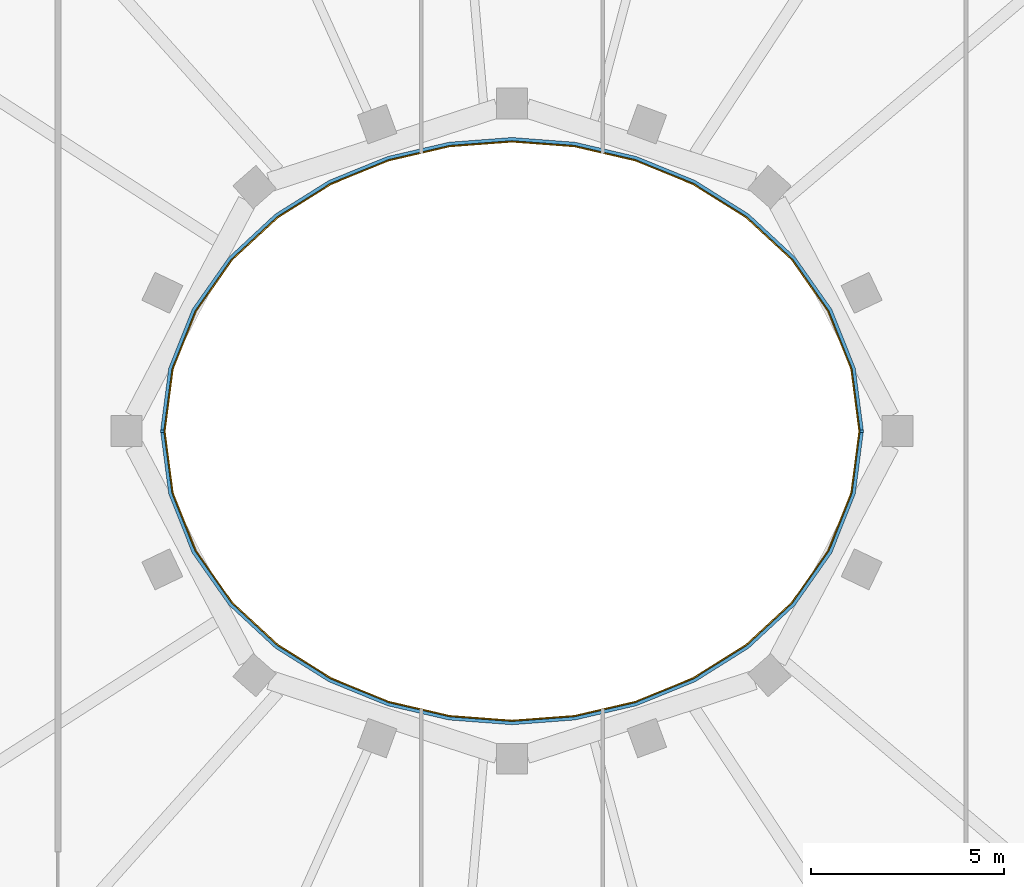
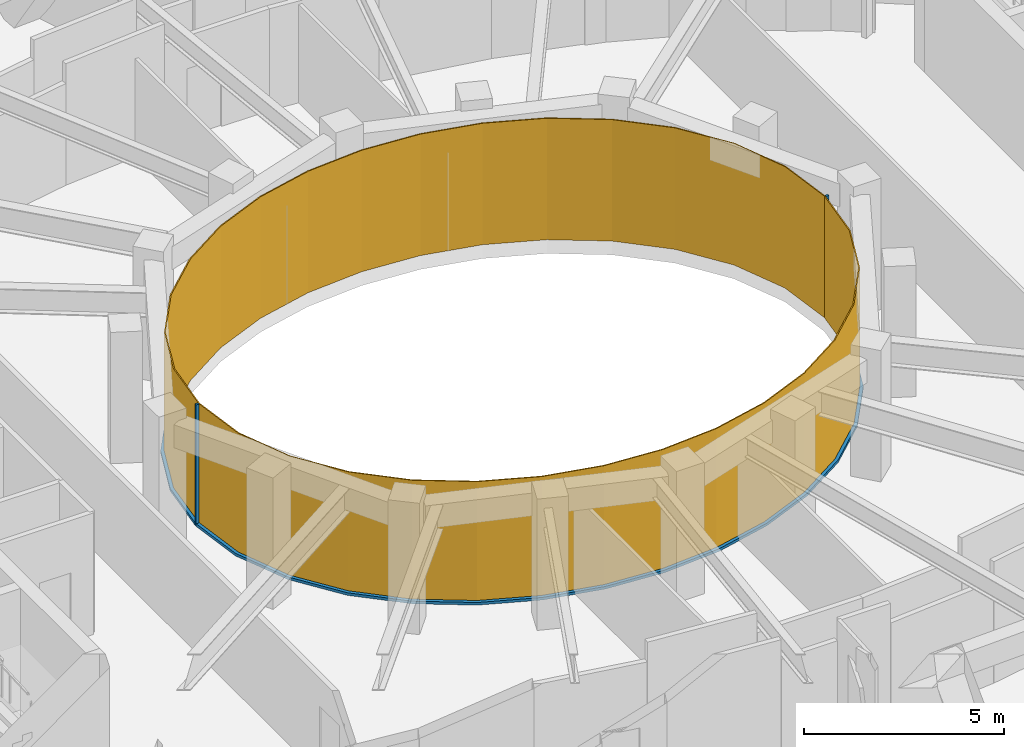
# One storey, part 7 of 13: 4 members, 2 curtain walls.
"""IFC4 building model written with IfcOpenShell, lengths in metres."""

from ifc_helpers import new_model, si_unit, direction, frame, origin, origin_2d, place, context, subcontext, project, spatial, polyline, rectangle, outline, extrude, material, layer, layer_set, material_profile, profile_set, type_object, element, aggregate, save


model = new_model("IFC4")

# Units and contexts
model_context = context("Model", 3, precision=1e-05, world=origin(), true_north=direction((0.0, 1.0)))
body_context = subcontext(model_context, "Body", "Model", "MODEL_VIEW")
ifc_project = project(units=[si_unit("LENGTHUNIT", "METRE"), si_unit("AREAUNIT", "SQUARE_METRE"), si_unit("VOLUMEUNIT", "CUBIC_METRE"), si_unit("PLANEANGLEUNIT", "RADIAN"), si_unit("MASSUNIT", "GRAM", prefix="KILO")], contexts=[model_context])

# Member
ifc_material_1 = material(Name="Steel S355 fire-resisting frame", Category="steel")
ifc_material_profile = material_profile(ifc_material_1, rectangle(XDim=0.090087890625, YDim=0.06005859375, at=origin_2d()), Name="90x60")
ifc_profile_set = profile_set([ifc_material_profile], Name="Steel S355 fire-resisting frame")
member_type_1 = type_object("IfcMemberType", Name="ENV-MULLION-W-90", PredefinedType="MULLION", material=ifc_profile_set)
site_placement = place(None, origin())
building_placement = place(site_placement, origin())
storey_placement = place(building_placement, frame((0.0, 0.0, 347.0)))
member_1_placement = place(storey_placement, frame((9.076904296875, 0.0, 0.0), z_axis=(0.0, 0.0, 1.0), x_axis=(1.0, 0.0, 0.0)))
member_1 = element("IfcMember", 1, at=member_1_placement, type_object=member_type_1, Name="Mullion W well vertex 01", PredefinedType="MULLION", context=body_context, shape_type="SweptSolid", body=[
    extrude(rectangle(XDim=0.090087890625, YDim=0.06005859375, at=origin_2d()), origin(), (0.0, 0.0, 1.0), 3.699951171875),
])

member_2_placement = place(storey_placement, frame((-9.076904296875, 0.0, 0.0), z_axis=(0.0, 0.0, 1.0), x_axis=(-1.0, 0.0, 0.0)))
member_2 = element("IfcMember", 2, at=member_2_placement, type_object=member_type_1, Name="Mullion W well vertex 17", PredefinedType="MULLION", context=body_context, shape_type="SweptSolid", body=[
    extrude(rectangle(XDim=0.090087890625, YDim=0.06005859375, at=origin_2d()), origin(), (0.0, 0.0, 1.0), 3.699951171875),
])

ifc_material_2 = material(Name="Steel S355 fire-resisting frame", Category="steel")
member_type_2 = type_object("IfcMemberType", Name="ENV-TRANSOM-W", PredefinedType="USERDEFINED", material=ifc_material_2)
member_3_placement = place(storey_placement, origin())
member_3 = element("IfcMember", 3, at=member_3_placement, type_object=member_type_2, Name="Transom W well 01-17", ObjectType="TRANSOM", PredefinedType="USERDEFINED", context=body_context, shape_type="SweptSolid", body=[
    extrude(outline(polyline([(9.119384765625, 0.02783203125), (8.910400390625, 1.63623046875), (8.29833984375, 3.167236328125), (7.35107421875, 4.5146484375), (6.1455078125, 5.6337890625), (4.75341796875, 6.50634765625), (3.233642578125, 7.127685546875), (1.635498046875, 7.498779296875), (0.0, 7.622314453125), (-1.635498046875, 7.498779296875), (-3.233642578125, 7.127685546875), (-4.75341796875, 6.50634765625), (-6.1455078125, 5.6337890625), (-7.35107421875, 4.5146484375), (-8.29833984375, 3.167236328125), (-8.910400390625, 1.63623046875), (-9.119384765625, 0.02783203125), (-9.02880859375, 0.02783203125), (-8.822509765625, 1.61328125), (-8.21875, 3.124267578125), (-7.282958984375, 4.455078125), (-6.090576171875, 5.56201171875), (-4.712158203125, 6.426025390625), (-3.206298828125, 7.04150390625), (-1.621826171875, 7.40966796875), (0.0, 7.531982421875), (1.621826171875, 7.40966796875), (3.206298828125, 7.04150390625), (4.712158203125, 6.426025390625), (6.090576171875, 5.56201171875), (7.282958984375, 4.455078125), (8.21875, 3.124267578125), (8.822509765625, 1.61328125), (9.02880859375, 0.02783203125), (9.119384765625, 0.02783203125)])), origin(), (0.0, 0.0, 1.0), 0.080078125),
])

member_4_placement = place(storey_placement, origin())
member_4 = element("IfcMember", 4, at=member_4_placement, type_object=member_type_2, Name="Transom W well 17-01", ObjectType="TRANSOM", PredefinedType="USERDEFINED", context=body_context, shape_type="SweptSolid", body=[
    extrude(outline(polyline([(-9.119384765625, -0.02783203125), (-8.910400390625, -1.63623046875), (-8.29833984375, -3.167236328125), (-7.35107421875, -4.5146484375), (-6.1455078125, -5.6337890625), (-4.75341796875, -6.50634765625), (-3.233642578125, -7.127685546875), (-1.635498046875, -7.498779296875), (0.0, -7.622314453125), (1.635498046875, -7.498779296875), (3.233642578125, -7.127685546875), (4.75341796875, -6.50634765625), (6.1455078125, -5.6337890625), (7.35107421875, -4.5146484375), (8.29833984375, -3.167236328125), (8.910400390625, -1.63623046875), (9.119384765625, -0.02783203125), (9.02880859375, -0.02783203125), (8.822509765625, -1.61328125), (8.21875, -3.124267578125), (7.282958984375, -4.455078125), (6.090576171875, -5.56201171875), (4.712158203125, -6.426025390625), (3.206298828125, -7.04150390625), (1.621826171875, -7.40966796875), (0.0, -7.531982421875), (-1.621826171875, -7.40966796875), (-3.206298828125, -7.04150390625), (-4.712158203125, -6.426025390625), (-6.090576171875, -5.56201171875), (-7.282958984375, -4.455078125), (-8.21875, -3.124267578125), (-8.822509765625, -1.61328125), (-9.02880859375, -0.02783203125), (-9.119384765625, -0.02783203125)])), origin(), (0.0, 0.0, 1.0), 0.080078125),
])

# Site, building, storey
site = spatial("IfcSite", under=ifc_project, at=site_placement, CompositionType="ELEMENT")
building = spatial("IfcBuilding", under=site, at=building_placement, Name="Noorbagh Ring Tower", CompositionType="ELEMENT")
storey = spatial("IfcBuildingStorey", under=building, at=storey_placement, Name="L76", CompositionType="ELEMENT", Elevation=347.0)

# Curtain wall
ifc_material_3 = material(Name="Glass fire-resisting E60 laminated", Category="glass")
ifc_layer = layer(ifc_material_3, 0.031982421875)
ifc_layer_set = layer_set([ifc_layer], Name="Glass fire-resisting E60 laminated")
curtain_wall_type = type_object("IfcCurtainWallType", Name="ENV-CW-W", PredefinedType="NOTDEFINED", material=ifc_layer_set)
curtain_wall_1_placement = place(storey_placement, origin())
curtain_wall_1 = element("IfcCurtainWall", 5, at=curtain_wall_1_placement, inside=storey, type_object=curtain_wall_type, Name="Curtain wall W W01", PredefinedType="NOTDEFINED", context=body_context, shape_type="SweptSolid", body=[
    extrude(outline(polyline([(9.0322265625, 0.0), (8.822509765625, 1.61328125), (8.21875, 3.124267578125), (7.282958984375, 4.455078125), (6.090576171875, 5.56201171875), (4.712158203125, 6.426025390625), (3.206298828125, 7.04150390625), (1.621826171875, 7.40966796875), (0.0, 7.531982421875), (-1.621826171875, 7.40966796875), (-3.206298828125, 7.04150390625), (-4.712158203125, 6.426025390625), (-6.090576171875, 5.56201171875), (-7.282958984375, 4.455078125), (-8.21875, 3.124267578125), (-8.822509765625, 1.61328125), (-9.0322265625, 0.0), (-9.0, 0.0), (-8.79150390625, 1.605224609375), (-8.1904296875, 3.10888671875), (-7.2587890625, 4.43408203125), (-6.071044921875, 5.53662109375), (-4.697509765625, 6.3974609375), (-3.196533203125, 7.010986328125), (-1.6171875, 7.3779296875), (0.0, 7.5), (1.6171875, 7.3779296875), (3.196533203125, 7.010986328125), (4.697509765625, 6.3974609375), (6.071044921875, 5.53662109375), (7.2587890625, 4.43408203125), (8.1904296875, 3.10888671875), (8.79150390625, 1.605224609375), (9.0, 0.0), (9.0322265625, 0.0)])), origin(), (0.0, 0.0, 1.0), 3.699951171875),
])

aggregate(curtain_wall_1, [member_1, member_2, member_3])

curtain_wall_2_placement = place(storey_placement, origin())
curtain_wall_2 = element("IfcCurtainWall", 6, at=curtain_wall_2_placement, inside=storey, type_object=curtain_wall_type, Name="Curtain wall W W17", PredefinedType="NOTDEFINED", context=body_context, shape_type="SweptSolid", body=[
    extrude(outline(polyline([(-9.0322265625, 0.0), (-8.822509765625, -1.61328125), (-8.21875, -3.124267578125), (-7.282958984375, -4.455078125), (-6.090576171875, -5.56201171875), (-4.712158203125, -6.426025390625), (-3.206298828125, -7.04150390625), (-1.621826171875, -7.40966796875), (0.0, -7.531982421875), (1.621826171875, -7.40966796875), (3.206298828125, -7.04150390625), (4.712158203125, -6.426025390625), (6.090576171875, -5.56201171875), (7.282958984375, -4.455078125), (8.21875, -3.124267578125), (8.822509765625, -1.61328125), (9.0322265625, 0.0), (9.0, 0.0), (8.79150390625, -1.605224609375), (8.1904296875, -3.10888671875), (7.2587890625, -4.43408203125), (6.071044921875, -5.53662109375), (4.697509765625, -6.3974609375), (3.196533203125, -7.010986328125), (1.6171875, -7.3779296875), (0.0, -7.5), (-1.6171875, -7.3779296875), (-3.196533203125, -7.010986328125), (-4.697509765625, -6.3974609375), (-6.071044921875, -5.53662109375), (-7.2587890625, -4.43408203125), (-8.1904296875, -3.10888671875), (-8.79150390625, -1.605224609375), (-9.0, 0.0), (-9.0322265625, 0.0)])), origin(), (0.0, 0.0, 1.0), 3.699951171875),
])

aggregate(curtain_wall_2, [member_4])

save(model, "model.ifc")
